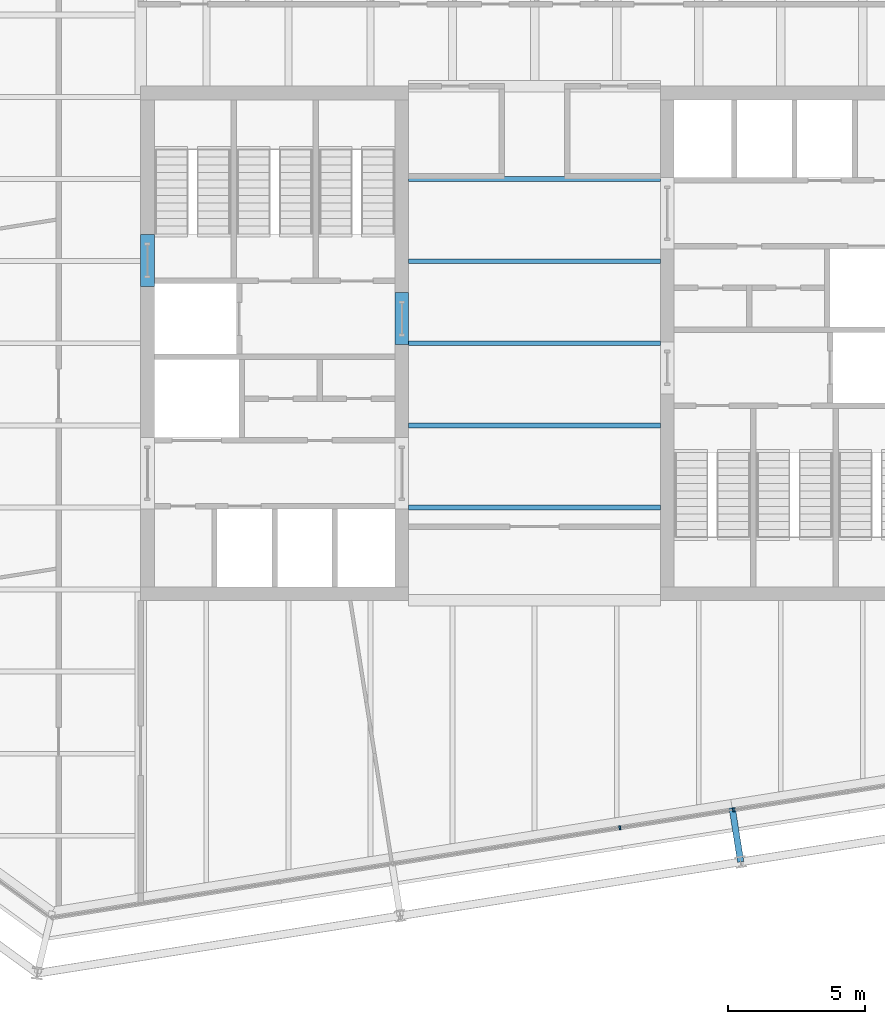
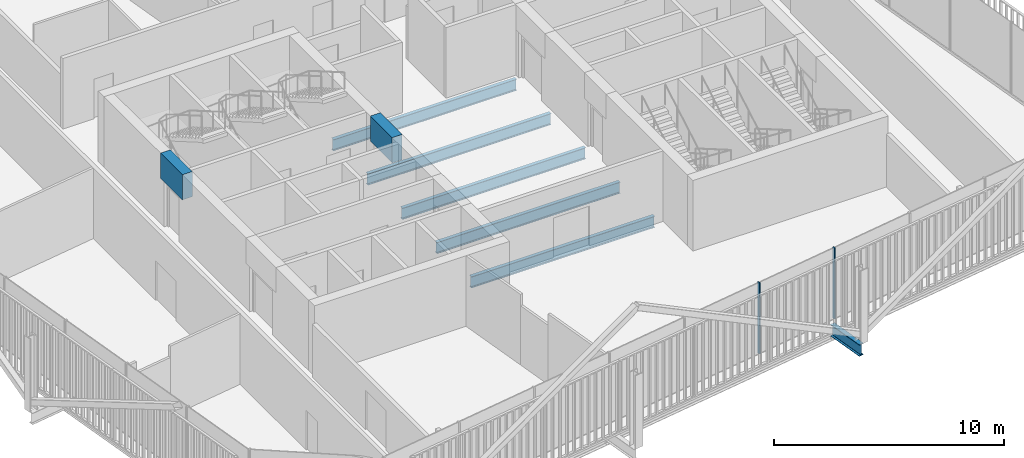
# One storey, part 8 of 21: 8 beams, 2 members, 1 element without a shape of its own.
"""IFC4 building model written with IfcOpenShell, lengths in metres."""

from ifc_helpers import new_model, si_unit, direction, frame, origin, origin_2d, place, context, subcontext, project, spatial, rectangle, i_section, extrude, material, layer, layer_set, material_profile, profile_set, type_object, element, aggregate, save


model = new_model("IFC4")

# Units and contexts
model_context = context("Model", 3, precision=1e-05, world=origin(), true_north=direction((0.0, 1.0)))
body_context = subcontext(model_context, "Body", "Model", "MODEL_VIEW")
ifc_project = project(units=[si_unit("LENGTHUNIT", "METRE"), si_unit("AREAUNIT", "SQUARE_METRE"), si_unit("VOLUMEUNIT", "CUBIC_METRE"), si_unit("PLANEANGLEUNIT", "RADIAN"), si_unit("MASSUNIT", "GRAM", prefix="KILO")], contexts=[model_context])

# Site, building, storey
site_placement = place(None, origin())
site = spatial("IfcSite", under=ifc_project, at=site_placement, CompositionType="ELEMENT")
building_placement = place(site_placement, origin())
building = spatial("IfcBuilding", under=site, at=building_placement, Name="Millrace Tower", CompositionType="ELEMENT")
storey_placement = place(building_placement, frame((0.0, 0.0, 212.5)))
storey = spatial("IfcBuildingStorey", under=building, at=storey_placement, Name="L48", CompositionType="ELEMENT", Elevation=212.5)

# Curtain wall, members
ifc_material_1 = material(Name="Aluminium and glass", Category="aluminium")
ifc_layer = layer(ifc_material_1, 0.14990234375)
ifc_layer_set = layer_set([ifc_layer], Name="Aluminium and glass")
curtain_wall_type = type_object("IfcCurtainWallType", Name="CW-1 office vision curtain wall", PredefinedType="NOTDEFINED", material=ifc_layer_set)
curtain_wall_placement = place(storey_placement, origin())
curtain_wall = element("IfcCurtainWall", 1, at=curtain_wall_placement, inside=storey, type_object=curtain_wall_type, Name="Curtain wall D-F02 L48", PredefinedType="NOTDEFINED")
ifc_material_2 = material(Name="Aluminium", Category="aluminium")
ifc_material_profile_1 = material_profile(ifc_material_2, rectangle(XDim=0.06494140625, YDim=0.14990234375, at=origin_2d()))
ifc_profile_set_1 = profile_set([ifc_material_profile_1], Name="Aluminium")
member_type = type_object("IfcMemberType", Name="CW-1 office vision curtain wall mullion", PredefinedType="MULLION", material=ifc_profile_set_1)
member_1_placement = place(storey_placement, frame((3.115966796875, -17.707275390625, 0.139892578125), z_axis=(0.0, 0.0, 1.0), x_axis=(0.987688339511, 0.156434471884, 0.0)))
member_1 = element("IfcMember", 2, at=member_1_placement, type_object=member_type, Name="CW1 mullion D-F02.6", PredefinedType="MULLION", context=body_context, shape_type="SweptSolid", body=[
    extrude(rectangle(XDim=0.06494140625, YDim=0.14990234375, at=origin_2d()), origin(), (0.0, 0.0, 1.0), 3.760009765625),
])
member_2_placement = place(storey_placement, frame((7.26416015625, -17.05029296875, 0.139892578125), z_axis=(0.0, 0.0, 1.0), x_axis=(0.987688339511, 0.156434471884, 0.0)))
member_2 = element("IfcMember", 3, at=member_2_placement, type_object=member_type, Name="CW1 mullion D-F02.7", PredefinedType="MULLION", context=body_context, shape_type="SweptSolid", body=[
    extrude(rectangle(XDim=0.06494140625, YDim=0.14990234375, at=origin_2d()), origin(), (0.0, 0.0, 1.0), 3.760009765625),
])
aggregate(curtain_wall, [member_1, member_2])

# Beams
ifc_material_3 = material(Name="Concrete C60", Category="concrete")
ifc_material_profile_2 = material_profile(ifc_material_3, rectangle(XDim=0.5, YDim=1.340087890625, at=origin_2d()))
ifc_profile_set_2 = profile_set([ifc_material_profile_2], Name="Concrete C60")
beam_type_1 = type_object("IfcBeamType", Name="Coupling beam 500 x 1340 Concrete C60, 1300 opening", PredefinedType="BEAM", material=ifc_profile_set_2)
beam_1_placement = place(storey_placement, frame((-14.14990234375, 2.080078125, 3.070068359375), z_axis=(0.0, 1.0, 0.0), x_axis=(-1.0, 0.0, 0.0)))
element("IfcBeam", 4, at=beam_1_placement, inside=storey, type_object=beam_type_1, Name="Coupling beam W L48", PredefinedType="BEAM", context=body_context, shape_type="SweptSolid", body=[
    extrude(rectangle(XDim=0.5, YDim=1.340087890625, at=origin_2d()), origin(), (0.0, 0.0, 1.0), 1.89990234375),
])
beam_2_placement = place(storey_placement, frame((-4.85009765625, -0.050048828125, 3.070068359375), z_axis=(0.0, 1.0, 0.0), x_axis=(-1.0, 0.0, 0.0)))
element("IfcBeam", 5, at=beam_2_placement, inside=storey, type_object=beam_type_1, Name="Coupling beam W L48", PredefinedType="BEAM", context=body_context, shape_type="SweptSolid", body=[
    extrude(rectangle(XDim=0.5, YDim=1.340087890625, at=origin_2d()), origin(), (0.0, 0.0, 1.0), 1.900146484375),
])
ifc_material_4 = material(Name="Steel ASTM A992 Grade 50", Category="steel")
ifc_material_profile_3 = material_profile(ifc_material_4, i_section(OverallWidth=0.177978515625, OverallDepth=0.599365234375, WebThickness=0.010009765625, FlangeThickness=0.012939453125, FilletRadius=0.012939453125, at=origin_2d()))
ifc_profile_set_3 = profile_set([ifc_material_profile_3], Name="Steel ASTM A992 Grade 50")
beam_type_2 = type_object("IfcBeamType", Name="Floor beam W24x55", PredefinedType="JOIST", material=ifc_profile_set_3)
for number, where, z_axis, x_axis, name in (
    (6, (-4.60009765625, -6.0, -0.459716796875), (1.0, 0.0, 0.0), (0.0, 1.0, 0.0), "BM-D-L48-S1-S008"),
    (7, (-4.60009765625, -3.0, -0.459716796875), (1.0, 0.0, 0.0), (0.0, 1.0, 0.0), "BM-D-L48-S1-S011"),
    (8, (-4.60009765625, 0.0, -0.459716796875), (1.0, 0.0, 0.0), (0.0, 1.0, 0.0), "BM-D-L48-S1-S014"),
    (9, (-4.60009765625, 3.0, -0.459716796875), (1.0, 0.0, 0.0), (0.0, 1.0, 0.0), "BM-D-L48-S1-S017"),
    (10, (-4.60009765625, 6.0, -0.459716796875), (1.0, 0.0, 0.0), (0.0, 1.0, 0.0), "BM-D-L48-S1-S020"),
):
    element("IfcBeam", number, at=place(storey_placement, frame(where, z_axis=z_axis, x_axis=x_axis)), inside=storey, type_object=beam_type_2, Name=name, PredefinedType="JOIST", context=body_context, shape_type="SweptSolid", body=[
        extrude(i_section(OverallWidth=0.177978515625, OverallDepth=0.599365234375, WebThickness=0.010009765625, FlangeThickness=0.012939453125, FilletRadius=0.012939453125, at=origin_2d()), origin(), (0.0, 0.0, 1.0), 9.2001953125),
    ])
ifc_material_5 = material(Name="Steel ASTM A992 Grade 50", Category="steel")
ifc_material_profile_4 = material_profile(ifc_material_5, i_section(OverallWidth=0.23046875, OverallDepth=0.6171875, WebThickness=0.01318359375, FlangeThickness=0.022216796875, FilletRadius=0.012939453125, at=origin_2d()))
ifc_profile_set_4 = profile_set([ifc_material_profile_4], Name="Steel ASTM A992 Grade 50")
beam_type_3 = type_object("IfcBeamType", Name="Link beam W24x94", PredefinedType="BEAM", material=ifc_profile_set_4)
beam_3_placement = place(storey_placement, frame((7.220458984375, -16.981201171875, -0.468505859375), z_axis=(0.156357438014, -0.987700537399, 0.0), x_axis=(0.987700537399, 0.156357438014, 0.0)))
element("IfcBeam", 11, at=beam_3_placement, inside=storey, type_object=beam_type_3, Name="LNK-D-L48-S1-14", PredefinedType="BEAM", context=body_context, shape_type="SweptSolid", body=[
    extrude(i_section(OverallWidth=0.23046875, OverallDepth=0.6171875, WebThickness=0.01318359375, FlangeThickness=0.022216796875, FilletRadius=0.012939453125, at=origin_2d()), origin(), (0.0, 0.0, 1.0), 2.000244140625),
])

save(model, "model.ifc")
